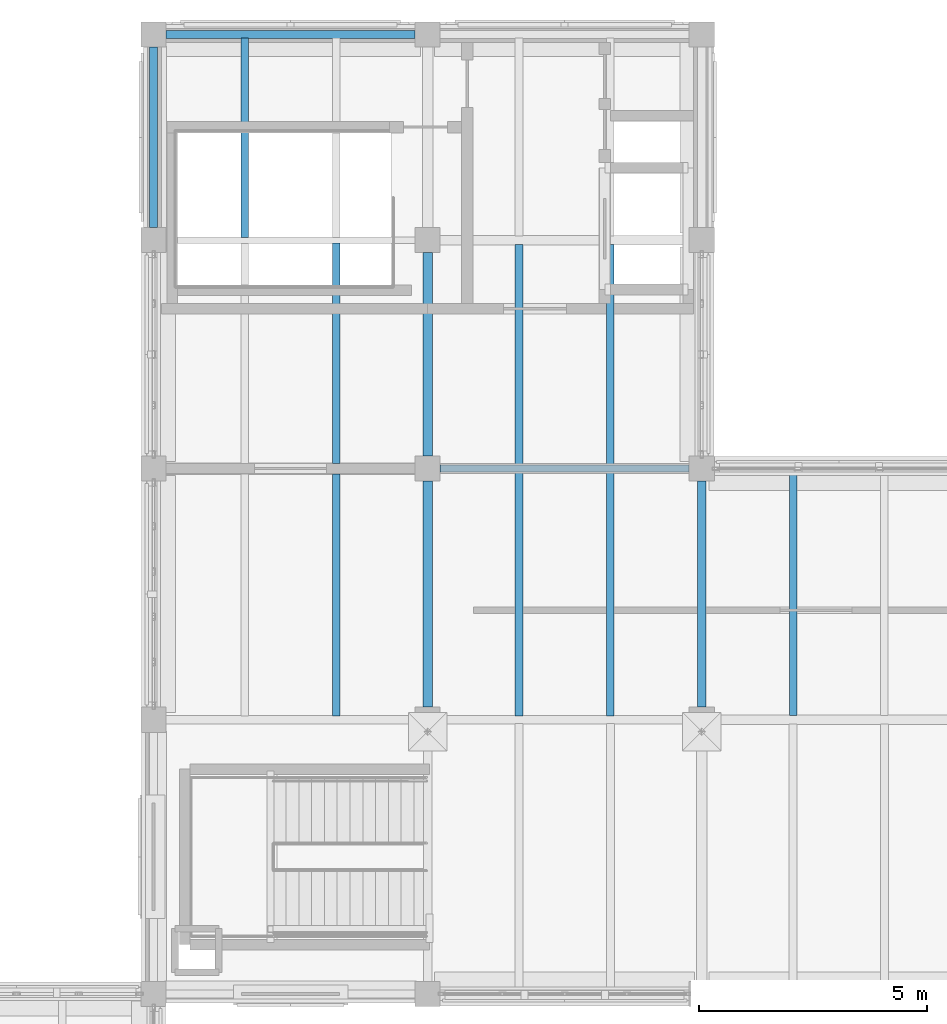
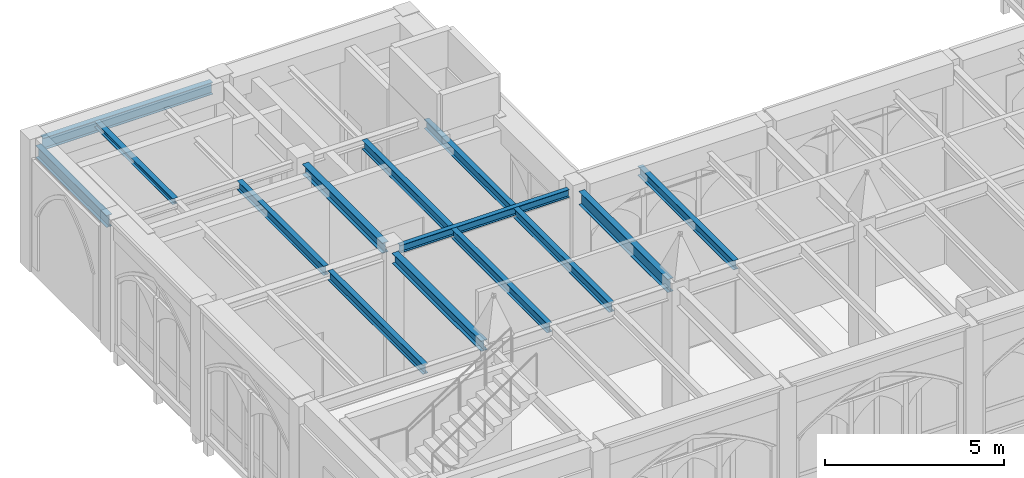
# One storey, part 19 of 108: 14 beams.
"""IFC4 building model written with IfcOpenShell, lengths in metres."""

from ifc_helpers import new_model, si_unit, direction, frame, origin, origin_2d, place, context, subcontext, project, spatial, i_section, extrude, material, material_profile, profile_set, type_object, element, save


model = new_model("IFC4")

# Units and contexts
model_context = context("Model", 3, precision=1e-05, world=origin(), true_north=direction((0.0, 1.0)))
body_context = subcontext(model_context, "Body", "Model", "MODEL_VIEW")
ifc_project = project(units=[si_unit("LENGTHUNIT", "METRE"), si_unit("AREAUNIT", "SQUARE_METRE"), si_unit("VOLUMEUNIT", "CUBIC_METRE"), si_unit("PLANEANGLEUNIT", "RADIAN"), si_unit("MASSUNIT", "GRAM", prefix="KILO")], contexts=[model_context])

# Site, building, storey
site_placement = place(None, origin())
site = spatial("IfcSite", under=ifc_project, at=site_placement, CompositionType="ELEMENT")
building_placement = place(site_placement, origin())
building = spatial("IfcBuilding", under=site, at=building_placement, Name="Cumevento Cable Car Station", CompositionType="ELEMENT")
storey_placement = place(building_placement, frame((0.0, 0.0, 13.5)))
storey = spatial("IfcBuildingStorey", under=building, at=storey_placement, Name="L04", CompositionType="ELEMENT", Elevation=13.5)

# Beams
ifc_material_1 = material(Name="Steel ASTM A572 Grade 50", Category="steel")
ifc_material_profile_1 = material_profile(ifc_material_1, i_section(OverallWidth=0.18994140625, OverallDepth=0.45703125, WebThickness=0.009033203125, FlangeThickness=0.014404296875, at=origin_2d()), Name="W460x74.0")
ifc_profile_set_1 = profile_set([ifc_material_profile_1], Name="Steel ASTM A572 Grade 50")
beam_type_1 = type_object("IfcBeamType", Name="Structural Beam BM-04 W460x74.0", PredefinedType="BEAM", material=ifc_profile_set_1)
beam_1_placement = place(storey_placement, frame((34.0, 51.27490234375, 4.021484375), z_axis=(0.0, 1.0, 0.0), x_axis=(-1.0, 0.0, 0.0)))
element("IfcBeam", 1, at=beam_1_placement, inside=storey, type_object=beam_type_1, Name="Beam BM-04 L04 #1397", PredefinedType="BEAM", context=body_context, shape_type="SweptSolid", body=[
    extrude(i_section(OverallWidth=0.18994140625, OverallDepth=0.45703125, WebThickness=0.009033203125, FlangeThickness=0.014404296875, at=origin_2d()), origin(), (0.0, 0.0, 1.0), 4.9501953125),
])
ifc_material_2 = material(Name="Steel ASTM A572 Grade 50", Category="steel")
ifc_material_profile_2 = material_profile(ifc_material_2, i_section(OverallWidth=0.205078125, OverallDepth=0.35400390625, WebThickness=0.009521484375, FlangeThickness=0.016845703125, at=origin_2d()), Name="W360x79.0")
ifc_profile_set_2 = profile_set([ifc_material_profile_2], Name="Steel ASTM A572 Grade 50")
beam_type_2 = type_object("IfcBeamType", Name="Structural Beam BM-05 W360x79.0", PredefinedType="BEAM", material=ifc_profile_set_2)
beam_2_placement = place(storey_placement, frame((28.0, 51.27490234375, 4.072998046875), z_axis=(0.0, 1.0, 0.0), x_axis=(-1.0, 0.0, 0.0)))
element("IfcBeam", 2, at=beam_2_placement, inside=storey, type_object=beam_type_2, Name="Beam BM-05 L04 #1395", PredefinedType="BEAM", context=body_context, shape_type="SweptSolid", body=[
    extrude(i_section(OverallWidth=0.205078125, OverallDepth=0.35400390625, WebThickness=0.009521484375, FlangeThickness=0.016845703125, at=origin_2d()), origin(), (0.0, 0.0, 1.0), 4.9501953125),
])
beam_3_placement = place(storey_placement, frame((28.0, 56.77490234375, 4.072998046875), z_axis=(0.0, 1.0, 0.0), x_axis=(-1.0, 0.0, 0.0)))
element("IfcBeam", 3, at=beam_3_placement, inside=storey, type_object=beam_type_2, Name="Beam BM-05 L04 #1410", PredefinedType="BEAM", context=body_context, shape_type="SweptSolid", body=[
    extrude(i_section(OverallWidth=0.205078125, OverallDepth=0.35400390625, WebThickness=0.009521484375, FlangeThickness=0.016845703125, at=origin_2d()), origin(), (0.0, 0.0, 1.0), 4.4501953125),
])
ifc_material_3 = material(Name="Steel ASTM A572 Grade 50", Category="steel")
ifc_material_profile_3 = material_profile(ifc_material_3, i_section(OverallWidth=0.14794921875, OverallDepth=0.26611328125, WebThickness=0.007568359375, FlangeThickness=0.012939453125, at=origin_2d()), Name="W250x44.8")
ifc_profile_set_3 = profile_set([ifc_material_profile_3], Name="Steel ASTM A572 Grade 50")
beam_type_3 = type_object("IfcBeamType", Name="Structural Beam BM-07 W250x44.8", PredefinedType="BEAM", material=ifc_profile_set_3)
beam_4_placement = place(storey_placement, frame((28.27490234375, 56.5, 4.116943359375), z_axis=(1.0, 0.0, 0.0), x_axis=(0.0, 1.0, 0.0)))
element("IfcBeam", 4, at=beam_4_placement, inside=storey, type_object=beam_type_3, Name="Beam BM-07 L04 #1388", PredefinedType="BEAM", context=body_context, shape_type="SweptSolid", body=[
    extrude(i_section(OverallWidth=0.14794921875, OverallDepth=0.26611328125, WebThickness=0.007568359375, FlangeThickness=0.012939453125, at=origin_2d()), origin(), (0.0, 0.0, 1.0), 5.4501953125),
])
ifc_material_4 = material(Name="Steel ASTM A572 Grade 50", Category="steel")
ifc_material_profile_4 = material_profile(ifc_material_4, i_section(OverallWidth=0.1669921875, OverallDepth=0.31689453125, WebThickness=0.007568359375, FlangeThickness=0.01318359375, at=origin_2d()), Name="W310x52.0")
ifc_profile_set_4 = profile_set([ifc_material_profile_4], Name="Steel ASTM A572 Grade 50")
beam_type_4 = type_object("IfcBeamType", Name="Structural Joist JS-02 W310x52.0", PredefinedType="JOIST", material=ifc_profile_set_4)
beam_5_placement = place(storey_placement, frame((26.0, 51.077880859375, 4.091552734375), z_axis=(0.0, 1.0, 0.0), x_axis=(-1.0, 0.0, 0.0)))
element("IfcBeam", 5, at=beam_5_placement, inside=storey, type_object=beam_type_4, Name="Composite Floor Joist JS-02 L04 #1514", PredefinedType="JOIST", context=body_context, shape_type="SweptSolid", body=[
    extrude(i_section(OverallWidth=0.1669921875, OverallDepth=0.31689453125, WebThickness=0.007568359375, FlangeThickness=0.01318359375, at=origin_2d()), origin(), (0.0, 0.0, 1.0), 5.30712890625),
])
for number, where, z_axis, x_axis, name in (
    (6, (30.0, 51.083984375, 4.091552734375), (0.0, 1.0, 0.0), (-1.0, 0.0, 0.0), "Composite Floor Joist JS-02 L04 #1516"),
    (7, (32.0, 51.083984375, 4.091552734375), (0.0, 1.0, 0.0), (-1.0, 0.0, 0.0), "Composite Floor Joist JS-02 L04 #1518"),
):
    element("IfcBeam", number, at=place(storey_placement, frame(where, z_axis=z_axis, x_axis=x_axis)), inside=storey, type_object=beam_type_4, Name=name, PredefinedType="JOIST", context=body_context, shape_type="SweptSolid", body=[
        extrude(i_section(OverallWidth=0.1669921875, OverallDepth=0.31689453125, WebThickness=0.007568359375, FlangeThickness=0.01318359375, at=origin_2d()), origin(), (0.0, 0.0, 1.0), 5.35400390625),
    ])
beam_6_placement = place(storey_placement, frame((36.0, 51.093505859375, 4.12939453125), z_axis=(0.0, 1.0, 0.0), x_axis=(-1.0, 0.0, 0.0)))
element("IfcBeam", 8, at=beam_6_placement, inside=storey, type_object=beam_type_4, Name="Composite Floor Joist JS-02 L04 #1520", PredefinedType="JOIST", context=body_context, shape_type="SweptSolid", body=[
    extrude(i_section(OverallWidth=0.1669921875, OverallDepth=0.31689453125, WebThickness=0.007568359375, FlangeThickness=0.01318359375, at=origin_2d()), origin(), (0.0, 0.0, 1.0), 5.32958984375),
])
ifc_material_5 = material(Name="Steel ASTM A572 Grade 50", Category="steel")
ifc_material_profile_5 = material_profile(ifc_material_5, i_section(OverallWidth=0.1650390625, OverallDepth=0.31005859375, WebThickness=0.005859375, FlangeThickness=0.009765625, at=origin_2d()), Name="W310x38.7")
ifc_profile_set_5 = profile_set([ifc_material_profile_5], Name="Steel ASTM A572 Grade 50")
beam_type_5 = type_object("IfcBeamType", Name="Structural Joist JS-03 W310x38.7", PredefinedType="JOIST", material=ifc_profile_set_5)
beam_7_placement = place(storey_placement, frame((26.0, 56.614990234375, 4.094970703125), z_axis=(0.0, 1.0, 0.0), x_axis=(-1.0, 0.0, 0.0)))
element("IfcBeam", 9, at=beam_7_placement, inside=storey, type_object=beam_type_5, Name="Composite Floor Joist JS-03 L04 #1533", PredefinedType="JOIST", context=body_context, shape_type="SweptSolid", body=[
    extrude(i_section(OverallWidth=0.1650390625, OverallDepth=0.31005859375, WebThickness=0.005859375, FlangeThickness=0.009765625, at=origin_2d()), origin(), (0.0, 0.0, 1.0), 4.822998046875),
])
for number, where, z_axis, x_axis, name in (
    (10, (30.0, 56.56201171875, 4.094970703125), (0.0, 1.0, 0.0), (-1.0, 0.0, 0.0), "Composite Floor Joist JS-03 L04 #1535"),
    (11, (32.0, 56.56201171875, 4.094970703125), (0.0, 1.0, 0.0), (-1.0, 0.0, 0.0), "Composite Floor Joist JS-03 L04 #1537"),
):
    element("IfcBeam", number, at=place(storey_placement, frame(where, z_axis=z_axis, x_axis=x_axis)), inside=storey, type_object=beam_type_5, Name=name, PredefinedType="JOIST", context=body_context, shape_type="SweptSolid", body=[
        extrude(i_section(OverallWidth=0.1650390625, OverallDepth=0.31005859375, WebThickness=0.005859375, FlangeThickness=0.009765625, at=origin_2d()), origin(), (0.0, 0.0, 1.0), 4.848388671875),
    ])
ifc_material_6 = material(Name="Steel ASTM A572 Grade 50", Category="steel")
ifc_material_profile_6 = material_profile(ifc_material_6, i_section(OverallWidth=0.1650390625, OverallDepth=0.200927734375, WebThickness=0.006103515625, FlangeThickness=0.01025390625, at=origin_2d()), Name="W200x35.9")
ifc_profile_set_6 = profile_set([ifc_material_profile_6], Name="Steel ASTM A572 Grade 50")
beam_type_6 = type_object("IfcBeamType", Name="Structural Joist JS-04 W200x35.9", PredefinedType="JOIST", material=ifc_profile_set_6)
beam_8_placement = place(storey_placement, frame((24.0, 61.56201171875, 4.1494140625), z_axis=(0.0, 1.0, 0.0), x_axis=(-1.0, 0.0, 0.0)))
element("IfcBeam", 12, at=beam_8_placement, inside=storey, type_object=beam_type_6, Name="Composite Floor Joist JS-04 L04 #1532", PredefinedType="JOIST", context=body_context, shape_type="SweptSolid", body=[
    extrude(i_section(OverallWidth=0.1650390625, OverallDepth=0.200927734375, WebThickness=0.006103515625, FlangeThickness=0.01025390625, at=origin_2d()), origin(), (0.0, 0.0, 1.0), 4.361083984375),
])
ifc_material_7 = material(Name="Steel ASTM A572 Grade 50", Category="steel")
ifc_material_profile_7 = material_profile(ifc_material_7, i_section(OverallWidth=0.177978515625, OverallDepth=0.406982421875, WebThickness=0.0078125, FlangeThickness=0.0126953125, at=origin_2d()), Name="W410x60.0")
ifc_profile_set_7 = profile_set([ifc_material_profile_7], Name="Steel ASTM A572 Grade 50")
beam_type_7 = type_object("IfcBeamType", Name="Structural Spandrel SP-01 W410x60.0", PredefinedType="SPANDREL", material=ifc_profile_set_7)
beam_9_placement = place(storey_placement, frame((22.27490234375, 66.0, 4.04638671875), z_axis=(1.0, 0.0, 0.0), x_axis=(0.0, 1.0, 0.0)))
element("IfcBeam", 13, at=beam_9_placement, inside=storey, type_object=beam_type_7, Name="Beam SP-01 L04 #1406", PredefinedType="SPANDREL", context=body_context, shape_type="SweptSolid", body=[
    extrude(i_section(OverallWidth=0.177978515625, OverallDepth=0.406982421875, WebThickness=0.0078125, FlangeThickness=0.0126953125, at=origin_2d()), origin(), (0.0, 0.0, 1.0), 5.4501953125),
])
beam_10_placement = place(storey_placement, frame((22.0, 61.77490234375, 4.04638671875), z_axis=(0.0, 1.0, 0.0), x_axis=(-1.0, 0.0, 0.0)))
element("IfcBeam", 14, at=beam_10_placement, inside=storey, type_object=beam_type_7, Name="Beam SP-01 L04 #1409", PredefinedType="SPANDREL", context=body_context, shape_type="SweptSolid", body=[
    extrude(i_section(OverallWidth=0.177978515625, OverallDepth=0.406982421875, WebThickness=0.0078125, FlangeThickness=0.0126953125, at=origin_2d()), origin(), (0.0, 0.0, 1.0), 3.9501953125),
])

save(model, "model.ifc")
